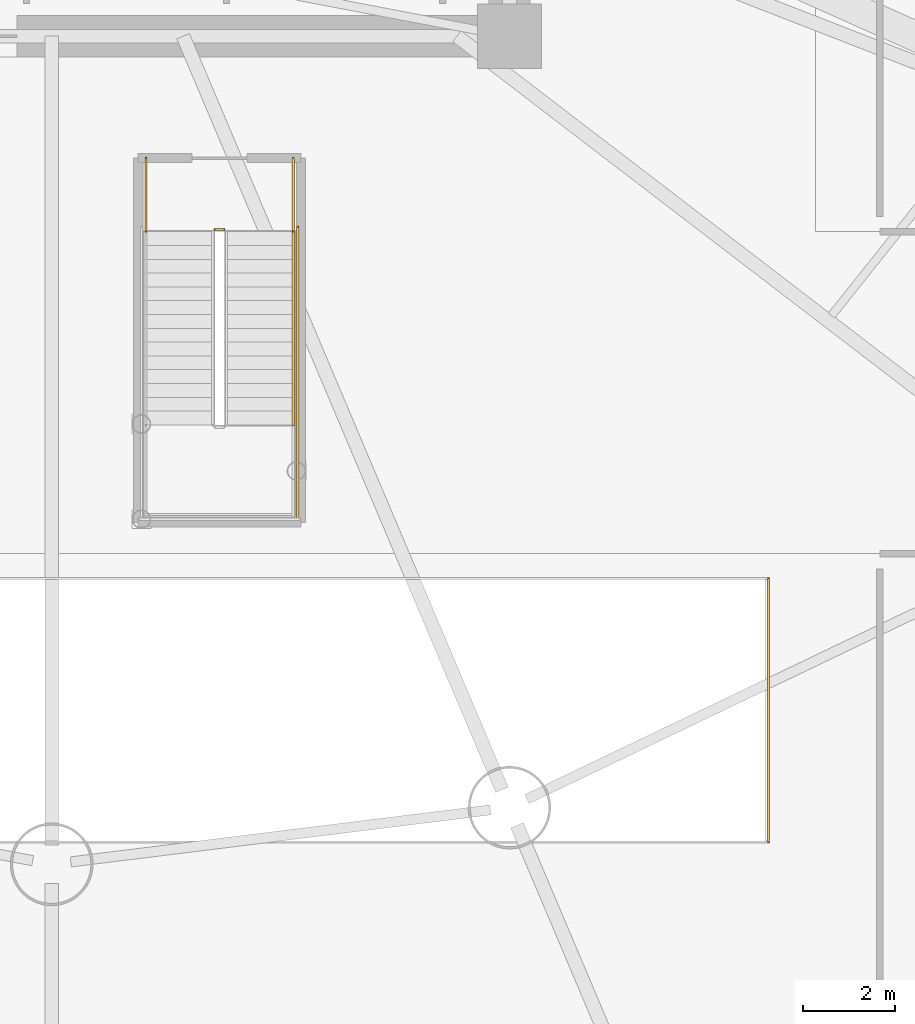
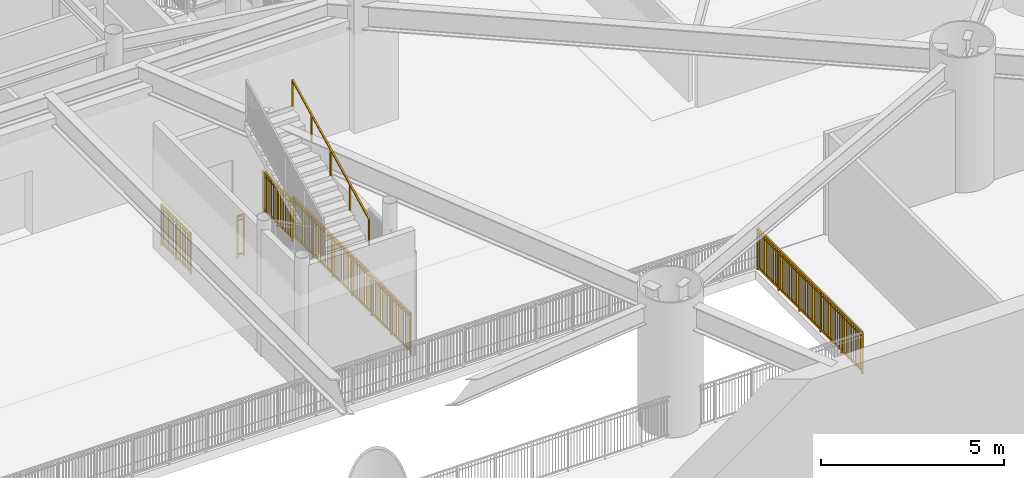
# One storey, part 15 of 21: 6 railings.
"""IFC4 building model written with IfcOpenShell, lengths in metres."""

from ifc_helpers import new_model, si_unit, direction, frame, origin, origin_2d, place, context, subcontext, project, spatial, rectangle, extrude, source, transform, mapped, material, type_object, element, save


model = new_model("IFC4")

# Units and contexts
model_context = context("Model", 3, precision=1e-05, world=origin(), true_north=direction((0.0, 1.0)))
body_context = subcontext(model_context, "Body", "Model", "MODEL_VIEW")
ifc_project = project(units=[si_unit("LENGTHUNIT", "METRE"), si_unit("AREAUNIT", "SQUARE_METRE"), si_unit("VOLUMEUNIT", "CUBIC_METRE"), si_unit("PLANEANGLEUNIT", "RADIAN"), si_unit("MASSUNIT", "GRAM", prefix="KILO")], contexts=[model_context])

# Site, building, storey
site_placement = place(None, origin())
site = spatial("IfcSite", under=ifc_project, at=site_placement, CompositionType="ELEMENT")
building_placement = place(site_placement, origin())
building = spatial("IfcBuilding", under=site, at=building_placement, Name="Linh Dai School and Residence Tower", CompositionType="ELEMENT")
storey_placement = place(building_placement, frame((0.0, 0.0, -4.5)))
storey = spatial("IfcBuildingStorey", under=building, at=storey_placement, Name="B01", CompositionType="ELEMENT", Elevation=-4.5)

# Railings
ifc_material_1 = material(Name="Structural Steel S355JR", Category="steel")
railing_type_1 = type_object("IfcRailingType", Name="RLG-SGRD", PredefinedType="GUARDRAIL", material=ifc_material_1)
shared_shape_1 = source(origin(), body_context, "Body", "SweptSolid", [
    extrude(rectangle(XDim=0.048095703125, YDim=0.048095703125, at=origin_2d()), frame((0.0, 0.0, 1.3759765625), z_axis=(0.0, 1.0, 0.0), x_axis=(-1.0, 0.0, 0.0)), (0.0, 0.0, 1.0), 5.726806640625),
    extrude(rectangle(XDim=0.048095703125, YDim=0.048095703125, at=origin_2d()), frame((0.0, 0.0, 0.10009765625), z_axis=(0.0, 1.0, 0.0), x_axis=(-1.0, 0.0, 0.0)), (0.0, 0.0, 1.0), 5.726806640625),
    extrude(rectangle(XDim=0.030029296875, YDim=0.030029296875, at=origin_2d()), frame((0.0, 0.0, 1.239990234375), z_axis=(0.0, 1.0, 0.0), x_axis=(-1.0, 0.0, 0.0)), (0.0, 0.0, 1.0), 5.726806640625),
    extrude(rectangle(XDim=0.02001953125, YDim=0.02001953125, at=origin_2d()), frame((0.0, 0.09716796875, 0.10009765625)), (0.0, 0.0, 1.0), 1.251708984375),
    extrude(rectangle(XDim=0.02001953125, YDim=0.02001953125, at=origin_2d()), frame((0.0, 0.194091796875, 0.10009765625)), (0.0, 0.0, 1.0), 1.251708984375),
    extrude(rectangle(XDim=0.02001953125, YDim=0.02001953125, at=origin_2d()), frame((0.0, 0.291259765625, 0.10009765625)), (0.0, 0.0, 1.0), 1.251708984375),
    extrude(rectangle(XDim=0.02001953125, YDim=0.02001953125, at=origin_2d()), frame((0.0, 0.38818359375, 0.10009765625)), (0.0, 0.0, 1.0), 1.251708984375),
    extrude(rectangle(XDim=0.02001953125, YDim=0.02001953125, at=origin_2d()), frame((0.0, 0.4853515625, 0.10009765625)), (0.0, 0.0, 1.0), 1.251708984375),
    extrude(rectangle(XDim=0.02001953125, YDim=0.02001953125, at=origin_2d()), frame((0.0, 0.582275390625, 0.10009765625)), (0.0, 0.0, 1.0), 1.251708984375),
    extrude(rectangle(XDim=0.02001953125, YDim=0.02001953125, at=origin_2d()), frame((0.0, 0.679443359375, 0.10009765625)), (0.0, 0.0, 1.0), 1.251708984375),
    extrude(rectangle(XDim=0.02001953125, YDim=0.02001953125, at=origin_2d()), frame((0.0, 0.776611328125, 0.10009765625)), (0.0, 0.0, 1.0), 1.251708984375),
    extrude(rectangle(XDim=0.02001953125, YDim=0.02001953125, at=origin_2d()), frame((0.0, 0.87353515625, 0.10009765625)), (0.0, 0.0, 1.0), 1.251708984375),
    extrude(rectangle(XDim=0.02001953125, YDim=0.02001953125, at=origin_2d()), frame((0.0, 0.970703125, 0.10009765625)), (0.0, 0.0, 1.0), 1.251708984375),
    extrude(rectangle(XDim=0.02001953125, YDim=0.02001953125, at=origin_2d()), frame((0.0, 1.067626953125, 0.10009765625)), (0.0, 0.0, 1.0), 1.251708984375),
    extrude(rectangle(XDim=0.02001953125, YDim=0.02001953125, at=origin_2d()), frame((0.0, 1.26171875, 0.10009765625)), (0.0, 0.0, 1.0), 1.251708984375),
    extrude(rectangle(XDim=0.02001953125, YDim=0.02001953125, at=origin_2d()), frame((0.0, 1.35888671875, 0.10009765625)), (0.0, 0.0, 1.0), 1.251708984375),
    extrude(rectangle(XDim=0.02001953125, YDim=0.02001953125, at=origin_2d()), frame((0.0, 1.4560546875, 0.10009765625)), (0.0, 0.0, 1.0), 1.251708984375),
    extrude(rectangle(XDim=0.02001953125, YDim=0.02001953125, at=origin_2d()), frame((0.0, 1.552978515625, 0.10009765625)), (0.0, 0.0, 1.0), 1.251708984375),
    extrude(rectangle(XDim=0.02001953125, YDim=0.02001953125, at=origin_2d()), frame((0.0, 1.650146484375, 0.10009765625)), (0.0, 0.0, 1.0), 1.251708984375),
    extrude(rectangle(XDim=0.02001953125, YDim=0.02001953125, at=origin_2d()), frame((0.0, 1.7470703125, 0.10009765625)), (0.0, 0.0, 1.0), 1.251708984375),
    extrude(rectangle(XDim=0.02001953125, YDim=0.02001953125, at=origin_2d()), frame((0.0, 1.84423828125, 0.10009765625)), (0.0, 0.0, 1.0), 1.251708984375),
    extrude(rectangle(XDim=0.02001953125, YDim=0.02001953125, at=origin_2d()), frame((0.0, 1.94140625, 0.10009765625)), (0.0, 0.0, 1.0), 1.251708984375),
    extrude(rectangle(XDim=0.02001953125, YDim=0.02001953125, at=origin_2d()), frame((0.0, 2.038330078125, 0.10009765625)), (0.0, 0.0, 1.0), 1.251708984375),
    extrude(rectangle(XDim=0.02001953125, YDim=0.02001953125, at=origin_2d()), frame((0.0, 2.135498046875, 0.10009765625)), (0.0, 0.0, 1.0), 1.251708984375),
    extrude(rectangle(XDim=0.02001953125, YDim=0.02001953125, at=origin_2d()), frame((0.0, 2.232421875, 0.10009765625)), (0.0, 0.0, 1.0), 1.251708984375),
    extrude(rectangle(XDim=0.02001953125, YDim=0.02001953125, at=origin_2d()), frame((0.0, 2.426513671875, 0.10009765625)), (0.0, 0.0, 1.0), 1.251708984375),
    extrude(rectangle(XDim=0.02001953125, YDim=0.02001953125, at=origin_2d()), frame((0.0, 2.523681640625, 0.10009765625)), (0.0, 0.0, 1.0), 1.251708984375),
    extrude(rectangle(XDim=0.02001953125, YDim=0.02001953125, at=origin_2d()), frame((0.0, 2.620849609375, 0.10009765625)), (0.0, 0.0, 1.0), 1.251708984375),
    extrude(rectangle(XDim=0.02001953125, YDim=0.02001953125, at=origin_2d()), frame((0.0, 2.7177734375, 0.10009765625)), (0.0, 0.0, 1.0), 1.251708984375),
    extrude(rectangle(XDim=0.02001953125, YDim=0.02001953125, at=origin_2d()), frame((0.0, 2.81494140625, 0.10009765625)), (0.0, 0.0, 1.0), 1.251708984375),
    extrude(rectangle(XDim=0.02001953125, YDim=0.02001953125, at=origin_2d()), frame((0.0, 2.911865234375, 0.10009765625)), (0.0, 0.0, 1.0), 1.251708984375),
    extrude(rectangle(XDim=0.02001953125, YDim=0.02001953125, at=origin_2d()), frame((0.0, 3.009033203125, 0.10009765625)), (0.0, 0.0, 1.0), 1.251708984375),
    extrude(rectangle(XDim=0.02001953125, YDim=0.02001953125, at=origin_2d()), frame((0.0, 3.10595703125, 0.10009765625)), (0.0, 0.0, 1.0), 1.251708984375),
    extrude(rectangle(XDim=0.02001953125, YDim=0.02001953125, at=origin_2d()), frame((0.0, 3.203125, 0.10009765625)), (0.0, 0.0, 1.0), 1.251708984375),
    extrude(rectangle(XDim=0.02001953125, YDim=0.02001953125, at=origin_2d()), frame((0.0, 3.30029296875, 0.10009765625)), (0.0, 0.0, 1.0), 1.251708984375),
    extrude(rectangle(XDim=0.02001953125, YDim=0.02001953125, at=origin_2d()), frame((0.0, 3.494384765625, 0.10009765625)), (0.0, 0.0, 1.0), 1.251708984375),
    extrude(rectangle(XDim=0.02001953125, YDim=0.02001953125, at=origin_2d()), frame((0.0, 3.59130859375, 0.10009765625)), (0.0, 0.0, 1.0), 1.251708984375),
    extrude(rectangle(XDim=0.02001953125, YDim=0.02001953125, at=origin_2d()), frame((0.0, 3.6884765625, 0.10009765625)), (0.0, 0.0, 1.0), 1.251708984375),
    extrude(rectangle(XDim=0.02001953125, YDim=0.02001953125, at=origin_2d()), frame((0.0, 3.785400390625, 0.10009765625)), (0.0, 0.0, 1.0), 1.251708984375),
    extrude(rectangle(XDim=0.02001953125, YDim=0.02001953125, at=origin_2d()), frame((0.0, 3.882568359375, 0.10009765625)), (0.0, 0.0, 1.0), 1.251708984375),
    extrude(rectangle(XDim=0.02001953125, YDim=0.02001953125, at=origin_2d()), frame((0.0, 3.979736328125, 0.10009765625)), (0.0, 0.0, 1.0), 1.251708984375),
    extrude(rectangle(XDim=0.02001953125, YDim=0.02001953125, at=origin_2d()), frame((0.0, 4.07666015625, 0.10009765625)), (0.0, 0.0, 1.0), 1.251708984375),
    extrude(rectangle(XDim=0.02001953125, YDim=0.02001953125, at=origin_2d()), frame((0.0, 4.173828125, 0.10009765625)), (0.0, 0.0, 1.0), 1.251708984375),
    extrude(rectangle(XDim=0.02001953125, YDim=0.02001953125, at=origin_2d()), frame((0.0, 4.270751953125, 0.10009765625)), (0.0, 0.0, 1.0), 1.251708984375),
    extrude(rectangle(XDim=0.02001953125, YDim=0.02001953125, at=origin_2d()), frame((0.0, 4.367919921875, 0.10009765625)), (0.0, 0.0, 1.0), 1.251708984375),
    extrude(rectangle(XDim=0.02001953125, YDim=0.02001953125, at=origin_2d()), frame((0.0, 4.465087890625, 0.10009765625)), (0.0, 0.0, 1.0), 1.251708984375),
    extrude(rectangle(XDim=0.02001953125, YDim=0.02001953125, at=origin_2d()), frame((0.0, 4.6591796875, 0.10009765625)), (0.0, 0.0, 1.0), 1.251708984375),
    extrude(rectangle(XDim=0.02001953125, YDim=0.02001953125, at=origin_2d()), frame((0.0, 4.756103515625, 0.10009765625)), (0.0, 0.0, 1.0), 1.251708984375),
    extrude(rectangle(XDim=0.02001953125, YDim=0.02001953125, at=origin_2d()), frame((0.0, 4.853271484375, 0.10009765625)), (0.0, 0.0, 1.0), 1.251708984375),
    extrude(rectangle(XDim=0.02001953125, YDim=0.02001953125, at=origin_2d()), frame((0.0, 4.9501953125, 0.10009765625)), (0.0, 0.0, 1.0), 1.251708984375),
    extrude(rectangle(XDim=0.02001953125, YDim=0.02001953125, at=origin_2d()), frame((0.0, 5.04736328125, 0.10009765625)), (0.0, 0.0, 1.0), 1.251708984375),
    extrude(rectangle(XDim=0.02001953125, YDim=0.02001953125, at=origin_2d()), frame((0.0, 5.14453125, 0.10009765625)), (0.0, 0.0, 1.0), 1.251708984375),
    extrude(rectangle(XDim=0.02001953125, YDim=0.02001953125, at=origin_2d()), frame((0.0, 5.241455078125, 0.10009765625)), (0.0, 0.0, 1.0), 1.251708984375),
    extrude(rectangle(XDim=0.02001953125, YDim=0.02001953125, at=origin_2d()), frame((0.0, 5.338623046875, 0.10009765625)), (0.0, 0.0, 1.0), 1.251708984375),
    extrude(rectangle(XDim=0.02001953125, YDim=0.02001953125, at=origin_2d()), frame((0.0, 5.435546875, 0.10009765625)), (0.0, 0.0, 1.0), 1.251708984375),
    extrude(rectangle(XDim=0.02001953125, YDim=0.02001953125, at=origin_2d()), frame((0.0, 5.53271484375, 0.10009765625)), (0.0, 0.0, 1.0), 1.251708984375),
    extrude(rectangle(XDim=0.02001953125, YDim=0.02001953125, at=origin_2d()), frame((0.0, 5.629638671875, 0.10009765625)), (0.0, 0.0, 1.0), 1.251708984375),
    extrude(rectangle(XDim=0.0419921875, YDim=0.0419921875, at=origin_2d()), origin(), (0.0, 0.0, 1.0), 1.3759765625),
    extrude(rectangle(XDim=0.0419921875, YDim=0.0419921875, at=origin_2d()), frame((0.0, 1.145263671875, 0.0)), (0.0, 0.0, 1.0), 1.3759765625),
    extrude(rectangle(XDim=0.0419921875, YDim=0.0419921875, at=origin_2d()), frame((0.0, 2.290771484375, 0.0)), (0.0, 0.0, 1.0), 1.3759765625),
    extrude(rectangle(XDim=0.0419921875, YDim=0.0419921875, at=origin_2d()), frame((0.0, 3.43603515625, 0.0)), (0.0, 0.0, 1.0), 1.3759765625),
    extrude(rectangle(XDim=0.0419921875, YDim=0.0419921875, at=origin_2d()), frame((0.0, 4.58154296875, 0.0)), (0.0, 0.0, 1.0), 1.3759765625),
    extrude(rectangle(XDim=0.0419921875, YDim=0.0419921875, at=origin_2d()), frame((0.0, 5.726806640625, 0.0)), (0.0, 0.0, 1.0), 1.3759765625),
])
railing_1_placement = place(storey_placement, frame((51.578857421875, 2.736572265625, 0.0)))
element("IfcRailing", 1, at=railing_1_placement, inside=storey, type_object=railing_type_1, Name="B01 VR1 Opening Guardrail 2", PredefinedType="GUARDRAIL", context=body_context, shape_type="MappedRepresentation", body=[
    mapped(shared_shape_1, transform((0.0, 0.0, 0.0), x_axis=(1.0, 0.0, 0.0), y_axis=(0.0, 1.0, 0.0), z_axis=(0.0, 0.0, 1.0), scale=1.0)),
])
ifc_material_2 = material(Name="Brushed Stainless Steel Handrail", Category="steel")
railing_type_2 = type_object("IfcRailingType", Name="RL-ST-HANDRAIL-900", PredefinedType="HANDRAIL", material=ifc_material_2)
shared_shape_2 = source(origin(), body_context, "Body", "SweptSolid", [
    extrude(rectangle(XDim=0.048095703125, YDim=0.048095703125, at=origin_2d()), frame((0.0, 0.0, 0.8759765625), z_axis=(0.0, 0.894416792377, 0.447234392142), x_axis=(-1.0, 0.0, 0.0)), (0.0, 0.0, 1.0), 4.69580078125),
    extrude(rectangle(XDim=0.0419921875, YDim=0.0419921875, at=origin_2d()), origin(), (0.0, 0.0, 1.0), 0.8759765625),
    extrude(rectangle(XDim=0.0419921875, YDim=0.0419921875, at=origin_2d()), frame((0.0, 1.050048828125, 0.52490234375)), (0.0, 0.0, 1.0), 0.8759765625),
    extrude(rectangle(XDim=0.0419921875, YDim=0.0419921875, at=origin_2d()), frame((0.0, 2.10009765625, 1.050048828125)), (0.0, 0.0, 1.0), 0.8759765625),
    extrude(rectangle(XDim=0.0419921875, YDim=0.0419921875, at=origin_2d()), frame((0.0, 3.14990234375, 1.5751953125)), (0.0, 0.0, 1.0), 0.8759765625),
    extrude(rectangle(XDim=0.0419921875, YDim=0.0419921875, at=origin_2d()), frame((0.0, 4.199951171875, 2.10009765625)), (0.0, 0.0, 1.0), 0.8759765625),
])
railing_2_placement = place(storey_placement, frame((41.25, 11.800048828125, 2.39990234375)))
element("IfcRailing", 2, at=railing_2_placement, inside=storey, type_object=railing_type_2, Name="B01 STB1 stair handrail 2", PredefinedType="HANDRAIL", context=body_context, shape_type="MappedRepresentation", body=[
    mapped(shared_shape_2, transform((0.0, 0.0, 0.0), x_axis=(1.0, 0.0, 0.0), y_axis=(0.0, 1.0, 0.0), z_axis=(0.0, 0.0, 1.0), scale=1.0)),
])
railing_type_3 = type_object("IfcRailingType", Name="RL-ST-GUARD-1400", PredefinedType="GUARDRAIL", material=ifc_material_1)
shared_shape_3 = source(origin(), body_context, "Body", "SweptSolid", [
    extrude(rectangle(XDim=0.048095703125, YDim=0.048095703125, at=origin_2d()), frame((0.0, 0.0, 1.3759765625), z_axis=(1.0, 0.0, 0.0), x_axis=(0.0, 1.0, 0.0)), (0.0, 0.0, 1.0), 0.199951171875),
    extrude(rectangle(XDim=0.048095703125, YDim=0.048095703125, at=origin_2d()), frame((0.0, 0.0, 0.10009765625), z_axis=(1.0, 0.0, 0.0), x_axis=(0.0, 1.0, 0.0)), (0.0, 0.0, 1.0), 0.199951171875),
    extrude(rectangle(XDim=0.030029296875, YDim=0.030029296875, at=origin_2d()), frame((0.0, 0.0, 1.239990234375), z_axis=(1.0, 0.0, 0.0), x_axis=(0.0, 1.0, 0.0)), (0.0, 0.0, 1.0), 0.199951171875),
    extrude(rectangle(XDim=0.0419921875, YDim=0.0419921875, at=origin_2d()), origin(), (0.0, 0.0, 1.0), 1.3759765625),
    extrude(rectangle(XDim=0.0419921875, YDim=0.0419921875, at=origin_2d()), frame((0.199951171875, 0.0, 0.0)), (0.0, 0.0, 1.0), 1.3759765625),
])
railing_3_placement = place(storey_placement, frame((39.550048828125, 16.050048828125, 0.0)))
element("IfcRailing", 3, at=railing_3_placement, inside=storey, type_object=railing_type_3, Name="B01 STB1 stair guard 7", PredefinedType="GUARDRAIL", context=body_context, shape_type="MappedRepresentation", body=[
    mapped(shared_shape_3, transform((0.0, 0.0, 0.0), x_axis=(1.0, 0.0, 0.0), y_axis=(0.0, 1.0, 0.0), z_axis=(0.0, 0.0, 1.0), scale=1.0)),
])
shared_shape_4 = source(origin(), body_context, "Body", "SweptSolid", [
    extrude(rectangle(XDim=0.048095703125, YDim=0.048095703125, at=origin_2d()), frame((0.0, 0.0, 1.3759765625), z_axis=(0.0, -1.0, 0.0), x_axis=(1.0, 0.0, 0.0)), (0.0, 0.0, 1.0), 1.60009765625),
    extrude(rectangle(XDim=0.048095703125, YDim=0.048095703125, at=origin_2d()), frame((0.0, 0.0, 0.10009765625), z_axis=(0.0, -1.0, 0.0), x_axis=(1.0, 0.0, 0.0)), (0.0, 0.0, 1.0), 1.60009765625),
    extrude(rectangle(XDim=0.030029296875, YDim=0.030029296875, at=origin_2d()), frame((0.0, 0.0, 1.239990234375), z_axis=(0.0, -1.0, 0.0), x_axis=(1.0, 0.0, 0.0)), (0.0, 0.0, 1.0), 1.60009765625),
    extrude(rectangle(XDim=0.02001953125, YDim=0.02001953125, at=origin_2d()), frame((0.0, -0.09423828125, 0.10009765625)), (0.0, 0.0, 1.0), 1.251708984375),
    extrude(rectangle(XDim=0.02001953125, YDim=0.02001953125, at=origin_2d()), frame((0.0, -0.188232421875, 0.10009765625)), (0.0, 0.0, 1.0), 1.251708984375),
    extrude(rectangle(XDim=0.02001953125, YDim=0.02001953125, at=origin_2d()), frame((0.0, -0.282470703125, 0.10009765625)), (0.0, 0.0, 1.0), 1.251708984375),
    extrude(rectangle(XDim=0.02001953125, YDim=0.02001953125, at=origin_2d()), frame((0.0, -0.37646484375, 0.10009765625)), (0.0, 0.0, 1.0), 1.251708984375),
    extrude(rectangle(XDim=0.02001953125, YDim=0.02001953125, at=origin_2d()), frame((0.0, -0.470703125, 0.10009765625)), (0.0, 0.0, 1.0), 1.251708984375),
    extrude(rectangle(XDim=0.02001953125, YDim=0.02001953125, at=origin_2d()), frame((0.0, -0.564697265625, 0.10009765625)), (0.0, 0.0, 1.0), 1.251708984375),
    extrude(rectangle(XDim=0.02001953125, YDim=0.02001953125, at=origin_2d()), frame((0.0, -0.658935546875, 0.10009765625)), (0.0, 0.0, 1.0), 1.251708984375),
    extrude(rectangle(XDim=0.02001953125, YDim=0.02001953125, at=origin_2d()), frame((0.0, -0.7529296875, 0.10009765625)), (0.0, 0.0, 1.0), 1.251708984375),
    extrude(rectangle(XDim=0.02001953125, YDim=0.02001953125, at=origin_2d()), frame((0.0, -0.84716796875, 0.10009765625)), (0.0, 0.0, 1.0), 1.251708984375),
    extrude(rectangle(XDim=0.02001953125, YDim=0.02001953125, at=origin_2d()), frame((0.0, -0.941162109375, 0.10009765625)), (0.0, 0.0, 1.0), 1.251708984375),
    extrude(rectangle(XDim=0.02001953125, YDim=0.02001953125, at=origin_2d()), frame((0.0, -1.035400390625, 0.10009765625)), (0.0, 0.0, 1.0), 1.251708984375),
    extrude(rectangle(XDim=0.02001953125, YDim=0.02001953125, at=origin_2d()), frame((0.0, -1.12939453125, 0.10009765625)), (0.0, 0.0, 1.0), 1.251708984375),
    extrude(rectangle(XDim=0.02001953125, YDim=0.02001953125, at=origin_2d()), frame((0.0, -1.2236328125, 0.10009765625)), (0.0, 0.0, 1.0), 1.251708984375),
    extrude(rectangle(XDim=0.02001953125, YDim=0.02001953125, at=origin_2d()), frame((0.0, -1.317626953125, 0.10009765625)), (0.0, 0.0, 1.0), 1.251708984375),
    extrude(rectangle(XDim=0.02001953125, YDim=0.02001953125, at=origin_2d()), frame((0.0, -1.411865234375, 0.10009765625)), (0.0, 0.0, 1.0), 1.251708984375),
    extrude(rectangle(XDim=0.02001953125, YDim=0.02001953125, at=origin_2d()), frame((0.0, -1.505859375, 0.10009765625)), (0.0, 0.0, 1.0), 1.251708984375),
    extrude(rectangle(XDim=0.0419921875, YDim=0.0419921875, at=origin_2d()), origin(), (0.0, 0.0, 1.0), 1.3759765625),
    extrude(rectangle(XDim=0.0419921875, YDim=0.0419921875, at=origin_2d()), frame((0.0, -0.800048828125, 0.0)), (0.0, 0.0, 1.0), 1.3759765625),
    extrude(rectangle(XDim=0.0419921875, YDim=0.0419921875, at=origin_2d()), frame((0.0, -1.60009765625, 0.0)), (0.0, 0.0, 1.0), 1.3759765625),
])
for number, where, name in (
    (4, (38.050048828125, 17.60009765625, 0.0), "B01 STB1 stair guard 8"),
    (5, (41.25, 17.60009765625, 0.0), "B01 STB1 stair guard 9"),
):
    element("IfcRailing", number, at=place(storey_placement, frame(where)), inside=storey, type_object=railing_type_3, Name=name, PredefinedType="GUARDRAIL", context=body_context, shape_type="MappedRepresentation", body=[
        mapped(shared_shape_4, transform((0.0, 0.0, 0.0), x_axis=(1.0, 0.0, 0.0), y_axis=(0.0, 1.0, 0.0), z_axis=(0.0, 0.0, 1.0), scale=1.0)),
    ])
shared_shape_5 = source(origin(), body_context, "Body", "SweptSolid", [
    extrude(rectangle(XDim=0.048095703125, YDim=0.048095703125, at=origin_2d()), frame((0.0, 0.0, 1.3759765625), z_axis=(0.0, -1.0, 0.0), x_axis=(1.0, 0.0, 0.0)), (0.0, 0.0, 1.0), 6.400146484375),
    extrude(rectangle(XDim=0.048095703125, YDim=0.048095703125, at=origin_2d()), frame((0.0, 0.0, 0.10009765625), z_axis=(0.0, -1.0, 0.0), x_axis=(1.0, 0.0, 0.0)), (0.0, 0.0, 1.0), 6.400146484375),
    extrude(rectangle(XDim=0.030029296875, YDim=0.030029296875, at=origin_2d()), frame((0.0, 0.0, 1.239990234375), z_axis=(0.0, -1.0, 0.0), x_axis=(1.0, 0.0, 0.0)), (0.0, 0.0, 1.0), 6.400146484375),
    extrude(rectangle(XDim=0.02001953125, YDim=0.02001953125, at=origin_2d()), frame((0.0, -0.096923828125, 0.10009765625)), (0.0, 0.0, 1.0), 1.251708984375),
    extrude(rectangle(XDim=0.02001953125, YDim=0.02001953125, at=origin_2d()), frame((0.0, -0.19384765625, 0.10009765625)), (0.0, 0.0, 1.0), 1.251708984375),
    extrude(rectangle(XDim=0.02001953125, YDim=0.02001953125, at=origin_2d()), frame((0.0, -0.291015625, 0.10009765625)), (0.0, 0.0, 1.0), 1.251708984375),
    extrude(rectangle(XDim=0.02001953125, YDim=0.02001953125, at=origin_2d()), frame((0.0, -0.387939453125, 0.10009765625)), (0.0, 0.0, 1.0), 1.251708984375),
    extrude(rectangle(XDim=0.02001953125, YDim=0.02001953125, at=origin_2d()), frame((0.0, -0.48486328125, 0.10009765625)), (0.0, 0.0, 1.0), 1.251708984375),
    extrude(rectangle(XDim=0.02001953125, YDim=0.02001953125, at=origin_2d()), frame((0.0, -0.581787109375, 0.10009765625)), (0.0, 0.0, 1.0), 1.251708984375),
    extrude(rectangle(XDim=0.02001953125, YDim=0.02001953125, at=origin_2d()), frame((0.0, -0.6787109375, 0.10009765625)), (0.0, 0.0, 1.0), 1.251708984375),
    extrude(rectangle(XDim=0.02001953125, YDim=0.02001953125, at=origin_2d()), frame((0.0, -0.77587890625, 0.10009765625)), (0.0, 0.0, 1.0), 1.251708984375),
    extrude(rectangle(XDim=0.02001953125, YDim=0.02001953125, at=origin_2d()), frame((0.0, -0.872802734375, 0.10009765625)), (0.0, 0.0, 1.0), 1.251708984375),
    extrude(rectangle(XDim=0.02001953125, YDim=0.02001953125, at=origin_2d()), frame((0.0, -0.9697265625, 0.10009765625)), (0.0, 0.0, 1.0), 1.251708984375),
    extrude(rectangle(XDim=0.02001953125, YDim=0.02001953125, at=origin_2d()), frame((0.0, -1.16357421875, 0.10009765625)), (0.0, 0.0, 1.0), 1.251708984375),
    extrude(rectangle(XDim=0.02001953125, YDim=0.02001953125, at=origin_2d()), frame((0.0, -1.2607421875, 0.10009765625)), (0.0, 0.0, 1.0), 1.251708984375),
    extrude(rectangle(XDim=0.02001953125, YDim=0.02001953125, at=origin_2d()), frame((0.0, -1.357666015625, 0.10009765625)), (0.0, 0.0, 1.0), 1.251708984375),
    extrude(rectangle(XDim=0.02001953125, YDim=0.02001953125, at=origin_2d()), frame((0.0, -1.45458984375, 0.10009765625)), (0.0, 0.0, 1.0), 1.251708984375),
    extrude(rectangle(XDim=0.02001953125, YDim=0.02001953125, at=origin_2d()), frame((0.0, -1.551513671875, 0.10009765625)), (0.0, 0.0, 1.0), 1.251708984375),
    extrude(rectangle(XDim=0.02001953125, YDim=0.02001953125, at=origin_2d()), frame((0.0, -1.6484375, 0.10009765625)), (0.0, 0.0, 1.0), 1.251708984375),
    extrude(rectangle(XDim=0.02001953125, YDim=0.02001953125, at=origin_2d()), frame((0.0, -1.74560546875, 0.10009765625)), (0.0, 0.0, 1.0), 1.251708984375),
    extrude(rectangle(XDim=0.02001953125, YDim=0.02001953125, at=origin_2d()), frame((0.0, -1.842529296875, 0.10009765625)), (0.0, 0.0, 1.0), 1.251708984375),
    extrude(rectangle(XDim=0.02001953125, YDim=0.02001953125, at=origin_2d()), frame((0.0, -1.939453125, 0.10009765625)), (0.0, 0.0, 1.0), 1.251708984375),
    extrude(rectangle(XDim=0.02001953125, YDim=0.02001953125, at=origin_2d()), frame((0.0, -2.036376953125, 0.10009765625)), (0.0, 0.0, 1.0), 1.251708984375),
    extrude(rectangle(XDim=0.02001953125, YDim=0.02001953125, at=origin_2d()), frame((0.0, -2.23046875, 0.10009765625)), (0.0, 0.0, 1.0), 1.251708984375),
    extrude(rectangle(XDim=0.02001953125, YDim=0.02001953125, at=origin_2d()), frame((0.0, -2.327392578125, 0.10009765625)), (0.0, 0.0, 1.0), 1.251708984375),
    extrude(rectangle(XDim=0.02001953125, YDim=0.02001953125, at=origin_2d()), frame((0.0, -2.42431640625, 0.10009765625)), (0.0, 0.0, 1.0), 1.251708984375),
    extrude(rectangle(XDim=0.02001953125, YDim=0.02001953125, at=origin_2d()), frame((0.0, -2.521240234375, 0.10009765625)), (0.0, 0.0, 1.0), 1.251708984375),
    extrude(rectangle(XDim=0.02001953125, YDim=0.02001953125, at=origin_2d()), frame((0.0, -2.6181640625, 0.10009765625)), (0.0, 0.0, 1.0), 1.251708984375),
    extrude(rectangle(XDim=0.02001953125, YDim=0.02001953125, at=origin_2d()), frame((0.0, -2.71533203125, 0.10009765625)), (0.0, 0.0, 1.0), 1.251708984375),
    extrude(rectangle(XDim=0.02001953125, YDim=0.02001953125, at=origin_2d()), frame((0.0, -2.812255859375, 0.10009765625)), (0.0, 0.0, 1.0), 1.251708984375),
    extrude(rectangle(XDim=0.02001953125, YDim=0.02001953125, at=origin_2d()), frame((0.0, -2.9091796875, 0.10009765625)), (0.0, 0.0, 1.0), 1.251708984375),
    extrude(rectangle(XDim=0.02001953125, YDim=0.02001953125, at=origin_2d()), frame((0.0, -3.006103515625, 0.10009765625)), (0.0, 0.0, 1.0), 1.251708984375),
    extrude(rectangle(XDim=0.02001953125, YDim=0.02001953125, at=origin_2d()), frame((0.0, -3.10302734375, 0.10009765625)), (0.0, 0.0, 1.0), 1.251708984375),
    extrude(rectangle(XDim=0.02001953125, YDim=0.02001953125, at=origin_2d()), frame((0.0, -3.297119140625, 0.10009765625)), (0.0, 0.0, 1.0), 1.251708984375),
    extrude(rectangle(XDim=0.02001953125, YDim=0.02001953125, at=origin_2d()), frame((0.0, -3.39404296875, 0.10009765625)), (0.0, 0.0, 1.0), 1.251708984375),
    extrude(rectangle(XDim=0.02001953125, YDim=0.02001953125, at=origin_2d()), frame((0.0, -3.490966796875, 0.10009765625)), (0.0, 0.0, 1.0), 1.251708984375),
    extrude(rectangle(XDim=0.02001953125, YDim=0.02001953125, at=origin_2d()), frame((0.0, -3.587890625, 0.10009765625)), (0.0, 0.0, 1.0), 1.251708984375),
    extrude(rectangle(XDim=0.02001953125, YDim=0.02001953125, at=origin_2d()), frame((0.0, -3.684814453125, 0.10009765625)), (0.0, 0.0, 1.0), 1.251708984375),
    extrude(rectangle(XDim=0.02001953125, YDim=0.02001953125, at=origin_2d()), frame((0.0, -3.781982421875, 0.10009765625)), (0.0, 0.0, 1.0), 1.251708984375),
    extrude(rectangle(XDim=0.02001953125, YDim=0.02001953125, at=origin_2d()), frame((0.0, -3.87890625, 0.10009765625)), (0.0, 0.0, 1.0), 1.251708984375),
    extrude(rectangle(XDim=0.02001953125, YDim=0.02001953125, at=origin_2d()), frame((0.0, -3.975830078125, 0.10009765625)), (0.0, 0.0, 1.0), 1.251708984375),
    extrude(rectangle(XDim=0.02001953125, YDim=0.02001953125, at=origin_2d()), frame((0.0, -4.07275390625, 0.10009765625)), (0.0, 0.0, 1.0), 1.251708984375),
    extrude(rectangle(XDim=0.02001953125, YDim=0.02001953125, at=origin_2d()), frame((0.0, -4.169677734375, 0.10009765625)), (0.0, 0.0, 1.0), 1.251708984375),
    extrude(rectangle(XDim=0.02001953125, YDim=0.02001953125, at=origin_2d()), frame((0.0, -4.36376953125, 0.10009765625)), (0.0, 0.0, 1.0), 1.251708984375),
    extrude(rectangle(XDim=0.02001953125, YDim=0.02001953125, at=origin_2d()), frame((0.0, -4.460693359375, 0.10009765625)), (0.0, 0.0, 1.0), 1.251708984375),
    extrude(rectangle(XDim=0.02001953125, YDim=0.02001953125, at=origin_2d()), frame((0.0, -4.5576171875, 0.10009765625)), (0.0, 0.0, 1.0), 1.251708984375),
    extrude(rectangle(XDim=0.02001953125, YDim=0.02001953125, at=origin_2d()), frame((0.0, -4.654541015625, 0.10009765625)), (0.0, 0.0, 1.0), 1.251708984375),
    extrude(rectangle(XDim=0.02001953125, YDim=0.02001953125, at=origin_2d()), frame((0.0, -4.751708984375, 0.10009765625)), (0.0, 0.0, 1.0), 1.251708984375),
    extrude(rectangle(XDim=0.02001953125, YDim=0.02001953125, at=origin_2d()), frame((0.0, -4.8486328125, 0.10009765625)), (0.0, 0.0, 1.0), 1.251708984375),
    extrude(rectangle(XDim=0.02001953125, YDim=0.02001953125, at=origin_2d()), frame((0.0, -4.945556640625, 0.10009765625)), (0.0, 0.0, 1.0), 1.251708984375),
    extrude(rectangle(XDim=0.02001953125, YDim=0.02001953125, at=origin_2d()), frame((0.0, -5.04248046875, 0.10009765625)), (0.0, 0.0, 1.0), 1.251708984375),
    extrude(rectangle(XDim=0.02001953125, YDim=0.02001953125, at=origin_2d()), frame((0.0, -5.139404296875, 0.10009765625)), (0.0, 0.0, 1.0), 1.251708984375),
    extrude(rectangle(XDim=0.02001953125, YDim=0.02001953125, at=origin_2d()), frame((0.0, -5.236572265625, 0.10009765625)), (0.0, 0.0, 1.0), 1.251708984375),
    extrude(rectangle(XDim=0.02001953125, YDim=0.02001953125, at=origin_2d()), frame((0.0, -5.430419921875, 0.10009765625)), (0.0, 0.0, 1.0), 1.251708984375),
    extrude(rectangle(XDim=0.02001953125, YDim=0.02001953125, at=origin_2d()), frame((0.0, -5.52734375, 0.10009765625)), (0.0, 0.0, 1.0), 1.251708984375),
    extrude(rectangle(XDim=0.02001953125, YDim=0.02001953125, at=origin_2d()), frame((0.0, -5.624267578125, 0.10009765625)), (0.0, 0.0, 1.0), 1.251708984375),
    extrude(rectangle(XDim=0.02001953125, YDim=0.02001953125, at=origin_2d()), frame((0.0, -5.721435546875, 0.10009765625)), (0.0, 0.0, 1.0), 1.251708984375),
    extrude(rectangle(XDim=0.02001953125, YDim=0.02001953125, at=origin_2d()), frame((0.0, -5.818359375, 0.10009765625)), (0.0, 0.0, 1.0), 1.251708984375),
    extrude(rectangle(XDim=0.02001953125, YDim=0.02001953125, at=origin_2d()), frame((0.0, -5.915283203125, 0.10009765625)), (0.0, 0.0, 1.0), 1.251708984375),
    extrude(rectangle(XDim=0.02001953125, YDim=0.02001953125, at=origin_2d()), frame((0.0, -6.01220703125, 0.10009765625)), (0.0, 0.0, 1.0), 1.251708984375),
    extrude(rectangle(XDim=0.02001953125, YDim=0.02001953125, at=origin_2d()), frame((0.0, -6.109130859375, 0.10009765625)), (0.0, 0.0, 1.0), 1.251708984375),
    extrude(rectangle(XDim=0.02001953125, YDim=0.02001953125, at=origin_2d()), frame((0.0, -6.206298828125, 0.10009765625)), (0.0, 0.0, 1.0), 1.251708984375),
    extrude(rectangle(XDim=0.02001953125, YDim=0.02001953125, at=origin_2d()), frame((0.0, -6.30322265625, 0.10009765625)), (0.0, 0.0, 1.0), 1.251708984375),
    extrude(rectangle(XDim=0.0419921875, YDim=0.0419921875, at=origin_2d()), origin(), (0.0, 0.0, 1.0), 1.3759765625),
    extrude(rectangle(XDim=0.0419921875, YDim=0.0419921875, at=origin_2d()), frame((0.0, -1.066650390625, 0.0)), (0.0, 0.0, 1.0), 1.3759765625),
    extrude(rectangle(XDim=0.0419921875, YDim=0.0419921875, at=origin_2d()), frame((0.0, -2.13330078125, 0.0)), (0.0, 0.0, 1.0), 1.3759765625),
    extrude(rectangle(XDim=0.0419921875, YDim=0.0419921875, at=origin_2d()), frame((0.0, -3.2001953125, 0.0)), (0.0, 0.0, 1.0), 1.3759765625),
    extrude(rectangle(XDim=0.0419921875, YDim=0.0419921875, at=origin_2d()), frame((0.0, -4.266845703125, 0.0)), (0.0, 0.0, 1.0), 1.3759765625),
    extrude(rectangle(XDim=0.0419921875, YDim=0.0419921875, at=origin_2d()), frame((0.0, -5.33349609375, 0.0)), (0.0, 0.0, 1.0), 1.3759765625),
    extrude(rectangle(XDim=0.0419921875, YDim=0.0419921875, at=origin_2d()), frame((0.0, -6.400146484375, 0.0)), (0.0, 0.0, 1.0), 1.3759765625),
])
railing_4_placement = place(storey_placement, frame((41.35009765625, 16.10009765625, 0.0)))
element("IfcRailing", 6, at=railing_4_placement, inside=storey, type_object=railing_type_3, Name="B01 STB1 stair guard 11", PredefinedType="GUARDRAIL", context=body_context, shape_type="MappedRepresentation", body=[
    mapped(shared_shape_5, transform((0.0, 0.0, 0.0), x_axis=(1.0, 0.0, 0.0), y_axis=(0.0, 1.0, 0.0), z_axis=(0.0, 0.0, 1.0), scale=1.0)),
])

save(model, "model.ifc")
